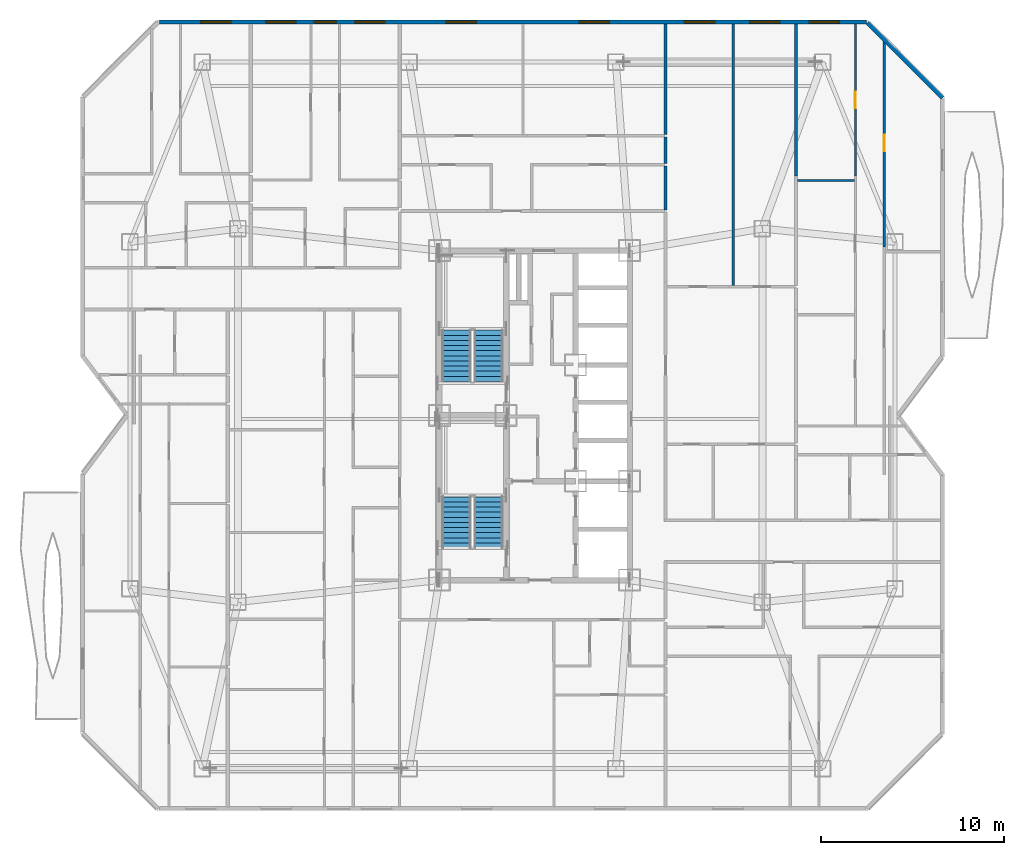
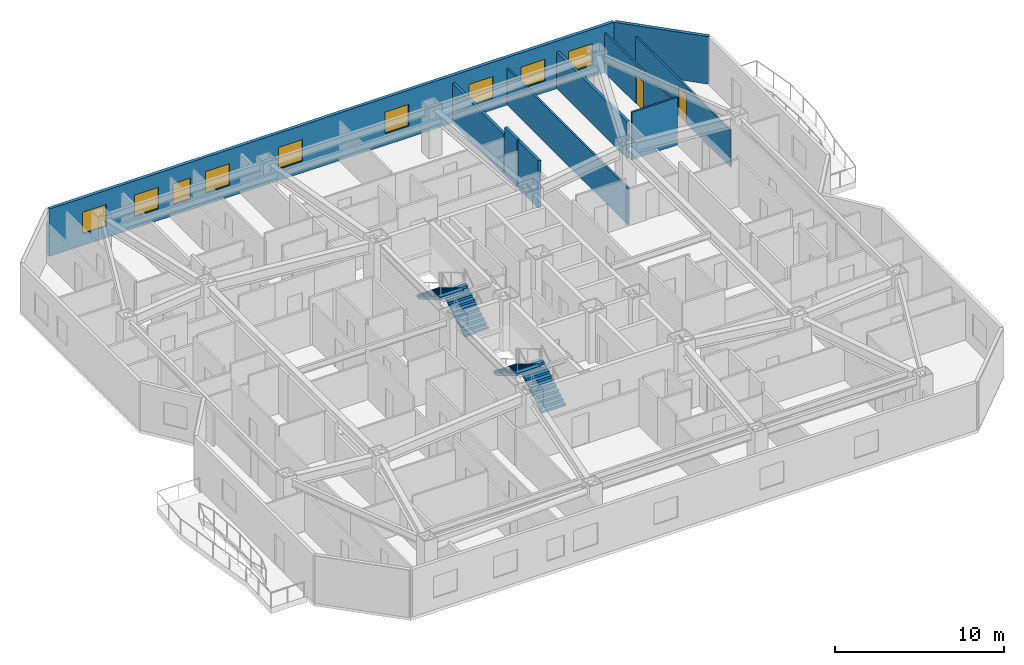
# One storey, part 13 of 16: 10 walls, 9 windows, 4 stair flights, 2 doors, 11 openings, 2 elements without a shape of their own.
"""IFC4 building model written with IfcOpenShell, lengths in metres."""

from ifc_helpers import new_model, si_unit, direction, frame, frame_2d, origin, place, context, subcontext, project, spatial, polyline, rectangle, outline, extrude, material, layer, layer_set, type_object, element, fill, aggregate, save


model = new_model("IFC4")

# Units and contexts
model_context = context("Model", 3, precision=1e-05, world=origin(), true_north=direction((0.0, 1.0)))
body_context = subcontext(model_context, "Body", "Model", "MODEL_VIEW")
ifc_project = project(units=[si_unit("LENGTHUNIT", "METRE"), si_unit("AREAUNIT", "SQUARE_METRE"), si_unit("VOLUMEUNIT", "CUBIC_METRE"), si_unit("PLANEANGLEUNIT", "RADIAN"), si_unit("MASSUNIT", "GRAM", prefix="KILO")], contexts=[model_context])

# Site, building, storey
site_placement = place(None, origin())
site = spatial("IfcSite", under=ifc_project, at=site_placement, CompositionType="ELEMENT")
building_placement = place(site_placement, origin())
building = spatial("IfcBuilding", under=site, at=building_placement, Name="Khamvora Tower", CompositionType="ELEMENT")
storey_placement = place(building_placement, frame((0.0, 0.0, 134.75)))
storey = spatial("IfcBuildingStorey", under=building, at=storey_placement, Name="L34", CompositionType="ELEMENT", Elevation=134.75)

# Walls
ifc_material_1 = material(Name="Acoustic Double-Stud Fire Wall", Category="gypsum")
ifc_layer_1 = layer(ifc_material_1, 0.179931640625)
ifc_layer_set_1 = layer_set([ifc_layer_1], Name="Acoustic Double-Stud Fire Wall")
wall_type_1 = type_object("IfcWallType", Name="WAL-CORR-180", PredefinedType="STANDARD", material=ifc_layer_set_1)
wall_1_placement = place(storey_placement, frame((41.364990234375, 43.2099609375, 0.0), z_axis=(0.0, 0.0, 1.0), x_axis=(0.0, -1.0, 0.0)))
element("IfcWall", 1, at=wall_1_placement, inside=storey, type_object=wall_type_1, Name="L34 interior partition wall 128", PredefinedType="STANDARD", context=body_context, shape_type="SweptSolid", body=[
    extrude(rectangle(XDim=1.449951171875, YDim=0.179931640625, at=frame_2d((0.72509765625, 0.0))), origin(), (0.0, 0.0, 1.0), 3.429931640625),
])
wall_2_placement = place(storey_placement, frame((41.364990234375, 41.6298828125, 0.0), z_axis=(0.0, 0.0, 1.0), x_axis=(0.0, -1.0, 0.0)))
element("IfcWall", 2, at=wall_2_placement, inside=storey, type_object=wall_type_1, Name="L34 interior partition wall 129", PredefinedType="STANDARD", context=body_context, shape_type="SweptSolid", body=[
    extrude(rectangle(XDim=2.39990234375, YDim=0.179931640625, at=frame_2d((1.199951171875, 0.0))), origin(), (0.0, 0.0, 1.0), 3.429931640625),
])
wall_3_placement = place(storey_placement, frame((41.364990234375, 49.387939453125, 0.0), z_axis=(0.0, 0.0, 1.0), x_axis=(0.0, -1.0, 0.0)))
element("IfcWall", 3, at=wall_3_placement, inside=storey, type_object=wall_type_1, Name="L34 interior partition wall 131", PredefinedType="STANDARD", context=body_context, shape_type="SweptSolid", body=[
    extrude(rectangle(XDim=6.0478515625, YDim=0.179931640625, at=frame_2d((3.02392578125, 0.0))), origin(), (0.0, 0.0, 1.0), 2.8759765625),
])
wall_4_placement = place(storey_placement, frame((48.489990234375, 49.387939453125, 0.0), z_axis=(0.0, 0.0, 1.0), x_axis=(0.0, -1.0, 0.0)))
element("IfcWall", 4, at=wall_4_placement, inside=storey, type_object=wall_type_1, Name="L34 interior partition wall 149", PredefinedType="STANDARD", context=body_context, shape_type="SweptSolid", body=[
    extrude(rectangle(XDim=8.304931640625, YDim=0.179931640625, at=frame_2d((4.15234375, 0.0))), origin(), (0.0, 0.0, 1.0), 2.64697265625),
])

# Wall, openings, windows
ifc_material_2 = material(Name="Precast concrete C40/50", Category="concrete")
ifc_layer_2 = layer(ifc_material_2, 0.219970703125)
ifc_layer_set_2 = layer_set([ifc_layer_2], Name="Precast concrete C40/50")
wall_type_2 = type_object("IfcWallType", Name="WAL-EXT-220", PredefinedType="STANDARD", material=ifc_layer_set_2)
wall_5_placement = place(storey_placement, frame((13.715087890625, 49.489990234375, 0.0), z_axis=(0.0, 0.0, 1.0), x_axis=(1.0, 0.0, 0.0)))
wall_5 = element("IfcWall", 5, at=wall_5_placement, inside=storey, type_object=wall_type_2, Name="L34 exterior facade wall 07.1", PredefinedType="STANDARD", context=body_context, shape_type="SweptSolid", body=[
    extrude(rectangle(XDim=38.638916015625, YDim=0.219970703125, at=frame_2d((19.3193359375, 0.0))), origin(), (0.0, 0.0, 1.0), 3.429931640625),
])
opening_1_placement = place(wall_5_placement, frame((2.242919921875, 0.0, 0.85009765625)))
opening_1 = element("IfcOpeningElement", 6, at=opening_1_placement, cuts=wall_5, Name="Opening WN-06", PredefinedType="OPENING", context=body_context, shape_type="SweptSolid", body=[
    extrude(rectangle(XDim=1.64990234375, YDim=1.550048828125, at=frame_2d((0.824951171875, 0.77490234375))), frame((0.0, 0.119873046875, 0.0), z_axis=(0.0, -1.0, 0.0), x_axis=(1.0, 0.0, 0.0)), (0.0, 0.0, 1.0), 0.239990234375),
])
opening_2_placement = place(wall_5_placement, frame((8.455078125, 0.0, 0.800048828125)))
opening_2 = element("IfcOpeningElement", 7, at=opening_2_placement, cuts=wall_5, Name="Opening WN-03", PredefinedType="OPENING", context=body_context, shape_type="SweptSolid", body=[
    extrude(rectangle(XDim=1.199951171875, YDim=1.5, at=frame_2d((0.60009765625, 0.75))), frame((0.0, 0.119873046875, 0.0), z_axis=(0.0, -1.0, 0.0), x_axis=(1.0, 0.0, 0.0)), (0.0, 0.0, 1.0), 0.239990234375),
])
opening_3_placement = place(wall_5_placement, frame((5.804931640625, 0.0, 0.85009765625)))
opening_3 = element("IfcOpeningElement", 8, at=opening_3_placement, cuts=wall_5, Name="Opening WN-06", PredefinedType="OPENING", context=body_context, shape_type="SweptSolid", body=[
    extrude(rectangle(XDim=1.64990234375, YDim=1.550048828125, at=frame_2d((0.824951171875, 0.77490234375))), frame((0.0, 0.119873046875, 0.0), z_axis=(0.0, -1.0, 0.0), x_axis=(1.0, 0.0, 0.0)), (0.0, 0.0, 1.0), 0.239990234375),
])
opening_4_placement = place(wall_5_placement, frame((10.655029296875, 0.0, 0.85009765625)))
opening_4 = element("IfcOpeningElement", 9, at=opening_4_placement, cuts=wall_5, Name="Opening WN-06", PredefinedType="OPENING", context=body_context, shape_type="SweptSolid", body=[
    extrude(rectangle(XDim=1.64990234375, YDim=1.550048828125, at=frame_2d((0.824951171875, 0.77490234375))), frame((0.0, 0.119873046875, 0.0), z_axis=(0.0, -1.0, 0.0), x_axis=(1.0, 0.0, 0.0)), (0.0, 0.0, 1.0), 0.239990234375),
])
opening_5_placement = place(wall_5_placement, frame((15.6650390625, 0.0, 0.85009765625)))
opening_5 = element("IfcOpeningElement", 10, at=opening_5_placement, cuts=wall_5, Name="Opening WN-06", PredefinedType="OPENING", context=body_context, shape_type="SweptSolid", body=[
    extrude(rectangle(XDim=1.64990234375, YDim=1.550048828125, at=frame_2d((0.824951171875, 0.77490234375))), frame((0.0, 0.119873046875, 0.0), z_axis=(0.0, -1.0, 0.0), x_axis=(1.0, 0.0, 0.0)), (0.0, 0.0, 1.0), 0.239990234375),
])
opening_6_placement = place(wall_5_placement, frame((22.929931640625, 0.0, 0.85009765625)))
opening_6 = element("IfcOpeningElement", 11, at=opening_6_placement, cuts=wall_5, Name="Opening WN-06", PredefinedType="OPENING", context=body_context, shape_type="SweptSolid", body=[
    extrude(rectangle(XDim=1.64990234375, YDim=1.550048828125, at=frame_2d((0.824951171875, 0.77490234375))), frame((0.0, 0.119873046875, 0.0), z_axis=(0.0, -1.0, 0.0), x_axis=(1.0, 0.0, 0.0)), (0.0, 0.0, 1.0), 0.239990234375),
])
opening_7_placement = place(wall_5_placement, frame((32.239013671875, 0.0, 0.85009765625)))
opening_7 = element("IfcOpeningElement", 12, at=opening_7_placement, cuts=wall_5, Name="Opening WN-06", PredefinedType="OPENING", context=body_context, shape_type="SweptSolid", body=[
    extrude(rectangle(XDim=1.64990234375, YDim=1.550048828125, at=frame_2d((0.824951171875, 0.77490234375))), frame((0.0, 0.119873046875, 0.0), z_axis=(0.0, -1.0, 0.0), x_axis=(1.0, 0.0, 0.0)), (0.0, 0.0, 1.0), 0.239990234375),
])
opening_8_placement = place(wall_5_placement, frame((28.676025390625, 0.0, 0.85009765625)))
opening_8 = element("IfcOpeningElement", 13, at=opening_8_placement, cuts=wall_5, Name="Opening WN-06", PredefinedType="OPENING", context=body_context, shape_type="SweptSolid", body=[
    extrude(rectangle(XDim=1.64990234375, YDim=1.550048828125, at=frame_2d((0.824951171875, 0.77490234375))), frame((0.0, 0.119873046875, 0.0), z_axis=(0.0, -1.0, 0.0), x_axis=(1.0, 0.0, 0.0)), (0.0, 0.0, 1.0), 0.239990234375),
])
opening_9_placement = place(wall_5_placement, frame((35.489013671875, 0.0, 0.85009765625)))
opening_9 = element("IfcOpeningElement", 14, at=opening_9_placement, cuts=wall_5, Name="Opening WN-06", PredefinedType="OPENING", context=body_context, shape_type="SweptSolid", body=[
    extrude(rectangle(XDim=1.64990234375, YDim=1.550048828125, at=frame_2d((0.824951171875, 0.77490234375))), frame((0.0, 0.119873046875, 0.0), z_axis=(0.0, -1.0, 0.0), x_axis=(1.0, 0.0, 0.0)), (0.0, 0.0, 1.0), 0.239990234375),
])
ifc_material_3 = material(Name="Low-E Laminated Double Glazing", Category="glass")
window_type_1 = type_object("IfcWindowType", Name="WIN-VIS-1200x1500", PartitioningType="SINGLE_PANEL", PredefinedType="WINDOW", material=ifc_material_3)
window_1_placement = place(opening_2_placement, origin())
window_1 = element("IfcWindow", 15, at=window_1_placement, inside=storey, type_object=window_type_1, Name="L34 vision window 07.1.02", OverallHeight=1.5, OverallWidth=1.199951171875, PartitioningType="SINGLE_PANEL", PredefinedType="WINDOW", context=body_context, shape_type="SweptSolid", body=[
    extrude(rectangle(XDim=1.199951171875, YDim=1.5, at=frame_2d((0.60009765625, 0.75))), frame((0.0, 0.030029296875, 0.0), z_axis=(0.0, -1.0, 0.0), x_axis=(1.0, 0.0, 0.0)), (0.0, 0.0, 1.0), 0.06005859375),
])
fill(opening_2, window_1)
window_type_2 = type_object("IfcWindowType", Name="WIN-VIS-1650x1550", PartitioningType="SINGLE_PANEL", PredefinedType="WINDOW", material=ifc_material_3)
window_2_placement = place(opening_1_placement, origin())
window_2 = element("IfcWindow", 16, at=window_2_placement, inside=storey, type_object=window_type_2, Name="L34 vision window 07.1.01", OverallHeight=1.550048828125, OverallWidth=1.64990234375, PartitioningType="SINGLE_PANEL", PredefinedType="WINDOW", context=body_context, shape_type="SweptSolid", body=[
    extrude(rectangle(XDim=1.64990234375, YDim=1.550048828125, at=frame_2d((0.824951171875, 0.77490234375))), frame((0.0, 0.030029296875, 0.0), z_axis=(0.0, -1.0, 0.0), x_axis=(1.0, 0.0, 0.0)), (0.0, 0.0, 1.0), 0.06005859375),
])
fill(opening_1, window_2)
window_3_placement = place(opening_3_placement, origin())
window_3 = element("IfcWindow", 17, at=window_3_placement, inside=storey, type_object=window_type_2, Name="L34 vision window 07.1.03", OverallHeight=1.550048828125, OverallWidth=1.64990234375, PartitioningType="SINGLE_PANEL", PredefinedType="WINDOW", context=body_context, shape_type="SweptSolid", body=[
    extrude(rectangle(XDim=1.64990234375, YDim=1.550048828125, at=frame_2d((0.824951171875, 0.77490234375))), frame((0.0, 0.030029296875, 0.0), z_axis=(0.0, -1.0, 0.0), x_axis=(1.0, 0.0, 0.0)), (0.0, 0.0, 1.0), 0.06005859375),
])
fill(opening_3, window_3)
window_4_placement = place(opening_4_placement, origin())
window_4 = element("IfcWindow", 18, at=window_4_placement, inside=storey, type_object=window_type_2, Name="L34 vision window 07.1.04", OverallHeight=1.550048828125, OverallWidth=1.64990234375, PartitioningType="SINGLE_PANEL", PredefinedType="WINDOW", context=body_context, shape_type="SweptSolid", body=[
    extrude(rectangle(XDim=1.64990234375, YDim=1.550048828125, at=frame_2d((0.824951171875, 0.77490234375))), frame((0.0, 0.030029296875, 0.0), z_axis=(0.0, -1.0, 0.0), x_axis=(1.0, 0.0, 0.0)), (0.0, 0.0, 1.0), 0.06005859375),
])
fill(opening_4, window_4)
window_5_placement = place(opening_5_placement, origin())
window_5 = element("IfcWindow", 19, at=window_5_placement, inside=storey, type_object=window_type_2, Name="L34 vision window 07.1.05", OverallHeight=1.550048828125, OverallWidth=1.64990234375, PartitioningType="SINGLE_PANEL", PredefinedType="WINDOW", context=body_context, shape_type="SweptSolid", body=[
    extrude(rectangle(XDim=1.64990234375, YDim=1.550048828125, at=frame_2d((0.824951171875, 0.77490234375))), frame((0.0, 0.030029296875, 0.0), z_axis=(0.0, -1.0, 0.0), x_axis=(1.0, 0.0, 0.0)), (0.0, 0.0, 1.0), 0.06005859375),
])
fill(opening_5, window_5)
window_6_placement = place(opening_6_placement, origin())
window_6 = element("IfcWindow", 20, at=window_6_placement, inside=storey, type_object=window_type_2, Name="L34 vision window 07.1.06", OverallHeight=1.550048828125, OverallWidth=1.64990234375, PartitioningType="SINGLE_PANEL", PredefinedType="WINDOW", context=body_context, shape_type="SweptSolid", body=[
    extrude(rectangle(XDim=1.64990234375, YDim=1.550048828125, at=frame_2d((0.824951171875, 0.77490234375))), frame((0.0, 0.030029296875, 0.0), z_axis=(0.0, -1.0, 0.0), x_axis=(1.0, 0.0, 0.0)), (0.0, 0.0, 1.0), 0.06005859375),
])
fill(opening_6, window_6)
window_7_placement = place(opening_7_placement, origin())
window_7 = element("IfcWindow", 21, at=window_7_placement, inside=storey, type_object=window_type_2, Name="L34 vision window 07.1.07", OverallHeight=1.550048828125, OverallWidth=1.64990234375, PartitioningType="SINGLE_PANEL", PredefinedType="WINDOW", context=body_context, shape_type="SweptSolid", body=[
    extrude(rectangle(XDim=1.64990234375, YDim=1.550048828125, at=frame_2d((0.824951171875, 0.77490234375))), frame((0.0, 0.030029296875, 0.0), z_axis=(0.0, -1.0, 0.0), x_axis=(1.0, 0.0, 0.0)), (0.0, 0.0, 1.0), 0.06005859375),
])
fill(opening_7, window_7)
window_8_placement = place(opening_8_placement, origin())
window_8 = element("IfcWindow", 22, at=window_8_placement, inside=storey, type_object=window_type_2, Name="L34 vision window 07.1.08", OverallHeight=1.550048828125, OverallWidth=1.64990234375, PartitioningType="SINGLE_PANEL", PredefinedType="WINDOW", context=body_context, shape_type="SweptSolid", body=[
    extrude(rectangle(XDim=1.64990234375, YDim=1.550048828125, at=frame_2d((0.824951171875, 0.77490234375))), frame((0.0, 0.030029296875, 0.0), z_axis=(0.0, -1.0, 0.0), x_axis=(1.0, 0.0, 0.0)), (0.0, 0.0, 1.0), 0.06005859375),
])
fill(opening_8, window_8)
window_9_placement = place(opening_9_placement, origin())
window_9 = element("IfcWindow", 23, at=window_9_placement, inside=storey, type_object=window_type_2, Name="L34 vision window 07.1.09", OverallHeight=1.550048828125, OverallWidth=1.64990234375, PartitioningType="SINGLE_PANEL", PredefinedType="WINDOW", context=body_context, shape_type="SweptSolid", body=[
    extrude(rectangle(XDim=1.64990234375, YDim=1.550048828125, at=frame_2d((0.824951171875, 0.77490234375))), frame((0.0, 0.030029296875, 0.0), z_axis=(0.0, -1.0, 0.0), x_axis=(1.0, 0.0, 0.0)), (0.0, 0.0, 1.0), 0.06005859375),
])
fill(opening_9, window_9)

# Walls
wall_6_placement = place(storey_placement, frame((52.402099609375, 49.44189453125, 0.0), z_axis=(0.0, 0.0, 1.0), x_axis=(0.707106781187, -0.707106781187, 0.0)))
element("IfcWall", 24, at=wall_6_placement, inside=storey, type_object=wall_type_2, Name="L34 exterior facade wall 08.1", PredefinedType="STANDARD", context=body_context, shape_type="SweptSolid", body=[
    extrude(rectangle(XDim=5.78125, YDim=0.219970703125, at=frame_2d((2.890625, 0.0))), origin(), (0.0, 0.0, 1.0), 3.429931640625),
])
ifc_material_4 = material(Name="Gypsum Plasterboard Partition", Category="gypsum")
ifc_layer_3 = layer(ifc_material_4, 0.1201171875)
ifc_layer_set_3 = layer_set([ifc_layer_3], Name="Gypsum Plasterboard Partition")
wall_type_3 = type_object("IfcWallType", Name="WAL-PART-120", PredefinedType="PARTITIONING", material=ifc_layer_set_3)
wall_7_placement = place(storey_placement, frame((45.06689453125, 35.083984375, 0.0), z_axis=(0.0, 0.0, 1.0), x_axis=(0.0, 1.0, 0.0)))
element("IfcWall", 25, at=wall_7_placement, inside=storey, type_object=wall_type_3, Name="L34 interior partition wall 147", PredefinedType="PARTITIONING", context=body_context, shape_type="SweptSolid", body=[
    extrude(rectangle(XDim=14.303955078125, YDim=0.1201171875, at=frame_2d((7.15185546875, 0.0))), origin(), (0.0, 0.0, 1.0), 2.64697265625),
])

# Wall, opening, door
wall_8_placement = place(storey_placement, frame((51.738037109375, 41.0830078125, 0.0), z_axis=(0.0, 0.0, 1.0), x_axis=(0.0, 1.0, 0.0)))
wall_8 = element("IfcWall", 26, at=wall_8_placement, inside=storey, type_object=wall_type_3, Name="L34 interior partition wall 160", PredefinedType="PARTITIONING", context=body_context, shape_type="SweptSolid", body=[
    extrude(rectangle(XDim=8.304931640625, YDim=0.1201171875, at=frame_2d((4.15234375, 0.0))), origin(), (0.0, 0.0, 1.0), 2.8759765625),
])
opening_10_placement = place(wall_8_placement, frame((3.701904296875, 0.0, 0.0)))
opening_10 = element("IfcOpeningElement", 27, at=opening_10_placement, cuts=wall_8, Name="Opening D-RM1", PredefinedType="OPENING", context=body_context, shape_type="SweptSolid", body=[
    extrude(rectangle(XDim=0.89990234375, YDim=2.10009765625, at=frame_2d((0.449951171875, 1.050048828125))), frame((0.0, 0.070068359375, 0.0), z_axis=(0.0, -1.0, 0.0), x_axis=(1.0, 0.0, 0.0)), (0.0, 0.0, 1.0), 0.14013671875),
])
ifc_material_5 = material(Name="Powder-Coated Steel and Hardwood Leaf", Category="steel")
door_type = type_object("IfcDoorType", Name="DOR-ROOM-900", OperationType="NOTDEFINED", PredefinedType="DOOR", material=ifc_material_5)
door_1_placement = place(opening_10_placement, origin())
door_1 = element("IfcDoor", 28, at=door_1_placement, inside=storey, type_object=door_type, Name="L34 interior door 34ECH-34ECR3", OperationType="SINGLE_SWING_LEFT", OverallHeight=2.10009765625, OverallWidth=0.89990234375, PredefinedType="DOOR", context=body_context, shape_type="SweptSolid", body=[
    extrude(rectangle(XDim=0.89990234375, YDim=2.10009765625, at=frame_2d((0.449951171875, 1.050048828125))), frame((0.0, 0.02490234375, 0.0), z_axis=(0.0, -1.0, 0.0), x_axis=(1.0, 0.0, 0.0)), (0.0, 0.0, 1.0), 0.050048828125),
])
fill(opening_10, door_1)

wall_9_placement = place(storey_placement, frame((53.306884765625, 48.5458984375, 0.0), z_axis=(0.0, 0.0, 1.0), x_axis=(0.0, -1.0, 0.0)))
wall_9 = element("IfcWall", 29, at=wall_9_placement, inside=storey, type_object=wall_type_3, Name="L34 interior partition wall 163", PredefinedType="PARTITIONING", context=body_context, shape_type="SweptSolid", body=[
    extrude(rectangle(XDim=11.35595703125, YDim=0.1201171875, at=frame_2d((5.677978515625, 0.0))), origin(), (0.0, 0.0, 1.0), 2.64697265625),
])
opening_11_placement = place(wall_9_placement, frame((5.22802734375, 0.0, 0.0)))
opening_11 = element("IfcOpeningElement", 30, at=opening_11_placement, cuts=wall_9, Name="Opening D-RM1", PredefinedType="OPENING", context=body_context, shape_type="SweptSolid", body=[
    extrude(rectangle(XDim=0.89990234375, YDim=2.10009765625, at=frame_2d((0.449951171875, 1.050048828125))), frame((0.0, 0.070068359375, 0.0), z_axis=(0.0, -1.0, 0.0), x_axis=(1.0, 0.0, 0.0)), (0.0, 0.0, 1.0), 0.14013671875),
])
door_2_placement = place(opening_11_placement, origin())
door_2 = element("IfcDoor", 31, at=door_2_placement, inside=storey, type_object=door_type, Name="L34 interior door 34ECH-34ECR5", OperationType="SINGLE_SWING_RIGHT", OverallHeight=2.10009765625, OverallWidth=0.89990234375, PredefinedType="DOOR", context=body_context, shape_type="SweptSolid", body=[
    extrude(rectangle(XDim=0.89990234375, YDim=2.10009765625, at=frame_2d((0.449951171875, 1.050048828125))), frame((0.0, 0.02490234375, 0.0), z_axis=(0.0, -1.0, 0.0), x_axis=(1.0, 0.0, 0.0)), (0.0, 0.0, 1.0), 0.050048828125),
])
fill(opening_11, door_2)

# Wall
wall_10_placement = place(storey_placement, frame((48.572021484375, 40.833984375, 0.0), z_axis=(0.0, 0.0, 1.0), x_axis=(1.0, 0.0, 0.0)))
element("IfcWall", 32, at=wall_10_placement, inside=storey, type_object=wall_type_3, Name="L34 interior partition wall 165", PredefinedType="PARTITIONING", context=body_context, shape_type="SweptSolid", body=[
    extrude(rectangle(XDim=3.112060546875, YDim=0.1201171875, at=frame_2d((1.55615234375, 0.0))), origin(), (0.0, 0.0, 1.0), 3.429931640625),
])

# Stair, stair flights
ifc_material_6 = material(Name="Concrete C40/50", Category="concrete")
stair_type_1 = type_object("IfcStairType", Name="STR-ST-01", PredefinedType="HALF_TURN_STAIR", material=ifc_material_6)
stair_1_placement = place(storey_placement, origin())
stair_1 = element("IfcStair", 33, at=stair_1_placement, inside=storey, type_object=stair_type_1, Name="L34 South Tower Exit Stair ST-01", PredefinedType="HALF_TURN_STAIR")
stair_flight_type_1 = type_object("IfcStairFlightType", Name="STF-ST-01", PredefinedType="STRAIGHT", material=ifc_material_6)
stair_flight_1_placement = place(storey_placement, frame((31.699951171875, 20.75, 0.0), z_axis=(0.0, 0.0, 1.0), x_axis=(0.0, 1.0, 0.0)))
stair_flight_1 = element("IfcStairFlight", 34, at=stair_flight_1_placement, type_object=stair_flight_type_1, Name="ST-01 flight 1", NumberOfRisers=11, NumberOfTreads=10, PredefinedType="STRAIGHT", RiserHeight=0.165909091, TreadLength=0.28, context=body_context, shape_type="SweptSolid", body=[
    extrude(outline(polyline([(0.0, 0.0), (0.0, 0.166015625), (0.280029296875, 0.166015625), (0.280029296875, 0.331787109375), (0.56005859375, 0.331787109375), (0.56005859375, 0.497802734375), (0.840087890625, 0.497802734375), (0.840087890625, 0.66357421875), (1.1201171875, 0.66357421875), (1.1201171875, 0.82958984375), (1.39990234375, 0.82958984375), (1.39990234375, 0.995361328125), (1.679931640625, 0.995361328125), (1.679931640625, 1.161376953125), (1.9599609375, 1.161376953125), (1.9599609375, 1.327392578125), (2.239990234375, 1.327392578125), (2.239990234375, 1.4931640625), (2.52001953125, 1.4931640625), (2.52001953125, 1.6591796875), (2.800048828125, 1.6591796875), (2.800048828125, 1.824951171875), (2.800048828125, 1.48486328125), (0.2939453125, 0.0), (0.0, 0.0)])), frame((0.0, 0.800048828125, 0.0), z_axis=(0.0, -1.0, 0.0), x_axis=(1.0, 0.0, 0.0)), (0.0, 0.0, 1.0), 1.60009765625),
])
stair_flight_2_placement = place(storey_placement, frame((29.949951171875, 23.550048828125, 1.824951171875), z_axis=(0.0, 0.0, 1.0), x_axis=(0.0, -1.0, 0.0)))
stair_flight_2 = element("IfcStairFlight", 35, at=stair_flight_2_placement, type_object=stair_flight_type_1, Name="ST-01 flight 2", NumberOfRisers=11, NumberOfTreads=10, PredefinedType="STRAIGHT", RiserHeight=0.165909091, TreadLength=0.28, context=body_context, shape_type="SweptSolid", body=[
    extrude(outline(polyline([(0.0, 0.0), (0.0, 0.166015625), (0.280029296875, 0.166015625), (0.280029296875, 0.331787109375), (0.56005859375, 0.331787109375), (0.56005859375, 0.497802734375), (0.840087890625, 0.497802734375), (0.840087890625, 0.66357421875), (1.1201171875, 0.66357421875), (1.1201171875, 0.82958984375), (1.39990234375, 0.82958984375), (1.39990234375, 0.995361328125), (1.679931640625, 0.995361328125), (1.679931640625, 1.161376953125), (1.9599609375, 1.161376953125), (1.9599609375, 1.327392578125), (2.239990234375, 1.327392578125), (2.239990234375, 1.4931640625), (2.52001953125, 1.4931640625), (2.52001953125, 1.6591796875), (2.800048828125, 1.6591796875), (2.800048828125, 1.824951171875), (2.800048828125, 1.48486328125), (0.2939453125, 0.0), (0.0, 0.0)])), frame((0.0, 0.800048828125, 0.0), z_axis=(0.0, -1.0, 0.0), x_axis=(1.0, 0.0, 0.0)), (0.0, 0.0, 1.0), 1.60009765625),
])
aggregate(stair_1, [stair_flight_1, stair_flight_2])

stair_type_2 = type_object("IfcStairType", Name="STR-ST-02", PredefinedType="HALF_TURN_STAIR", material=ifc_material_6)
stair_2_placement = place(storey_placement, origin())
stair_2 = element("IfcStair", 36, at=stair_2_placement, inside=storey, type_object=stair_type_2, Name="L34 North Tower Exit Stair ST-02", PredefinedType="HALF_TURN_STAIR")
stair_flight_type_2 = type_object("IfcStairFlightType", Name="STF-ST-02", PredefinedType="STRAIGHT", material=ifc_material_6)
stair_flight_3_placement = place(storey_placement, frame((31.699951171875, 29.85009765625, 0.0), z_axis=(0.0, 0.0, 1.0), x_axis=(0.0, 1.0, 0.0)))
stair_flight_3 = element("IfcStairFlight", 37, at=stair_flight_3_placement, type_object=stair_flight_type_2, Name="ST-02 flight 1", NumberOfRisers=11, NumberOfTreads=10, PredefinedType="STRAIGHT", RiserHeight=0.165909091, TreadLength=0.28, context=body_context, shape_type="SweptSolid", body=[
    extrude(outline(polyline([(0.0, 0.0), (0.0, 0.166015625), (0.280029296875, 0.166015625), (0.280029296875, 0.331787109375), (0.56005859375, 0.331787109375), (0.56005859375, 0.497802734375), (0.840087890625, 0.497802734375), (0.840087890625, 0.66357421875), (1.1201171875, 0.66357421875), (1.1201171875, 0.82958984375), (1.39990234375, 0.82958984375), (1.39990234375, 0.995361328125), (1.679931640625, 0.995361328125), (1.679931640625, 1.161376953125), (1.9599609375, 1.161376953125), (1.9599609375, 1.327392578125), (2.239990234375, 1.327392578125), (2.239990234375, 1.4931640625), (2.52001953125, 1.4931640625), (2.52001953125, 1.6591796875), (2.800048828125, 1.6591796875), (2.800048828125, 1.824951171875), (2.800048828125, 1.48486328125), (0.2939453125, 0.0), (0.0, 0.0)])), frame((0.0, 0.800048828125, 0.0), z_axis=(0.0, -1.0, 0.0), x_axis=(1.0, 0.0, 0.0)), (0.0, 0.0, 1.0), 1.60009765625),
])
stair_flight_4_placement = place(storey_placement, frame((29.949951171875, 32.64990234375, 1.824951171875), z_axis=(0.0, 0.0, 1.0), x_axis=(0.0, -1.0, 0.0)))
stair_flight_4 = element("IfcStairFlight", 38, at=stair_flight_4_placement, type_object=stair_flight_type_2, Name="ST-02 flight 2", NumberOfRisers=11, NumberOfTreads=10, PredefinedType="STRAIGHT", RiserHeight=0.165909091, TreadLength=0.28, context=body_context, shape_type="SweptSolid", body=[
    extrude(outline(polyline([(0.0, 0.0), (0.0, 0.166015625), (0.280029296875, 0.166015625), (0.280029296875, 0.331787109375), (0.56005859375, 0.331787109375), (0.56005859375, 0.497802734375), (0.840087890625, 0.497802734375), (0.840087890625, 0.66357421875), (1.1201171875, 0.66357421875), (1.1201171875, 0.82958984375), (1.39990234375, 0.82958984375), (1.39990234375, 0.995361328125), (1.679931640625, 0.995361328125), (1.679931640625, 1.161376953125), (1.9599609375, 1.161376953125), (1.9599609375, 1.327392578125), (2.239990234375, 1.327392578125), (2.239990234375, 1.4931640625), (2.52001953125, 1.4931640625), (2.52001953125, 1.6591796875), (2.800048828125, 1.6591796875), (2.800048828125, 1.824951171875), (2.800048828125, 1.48486328125), (0.2939453125, 0.0), (0.0, 0.0)])), frame((0.0, 0.800048828125, 0.0), z_axis=(0.0, -1.0, 0.0), x_axis=(1.0, 0.0, 0.0)), (0.0, 0.0, 1.0), 1.60009765625),
])
aggregate(stair_2, [stair_flight_3, stair_flight_4])

save(model, "model.ifc")
